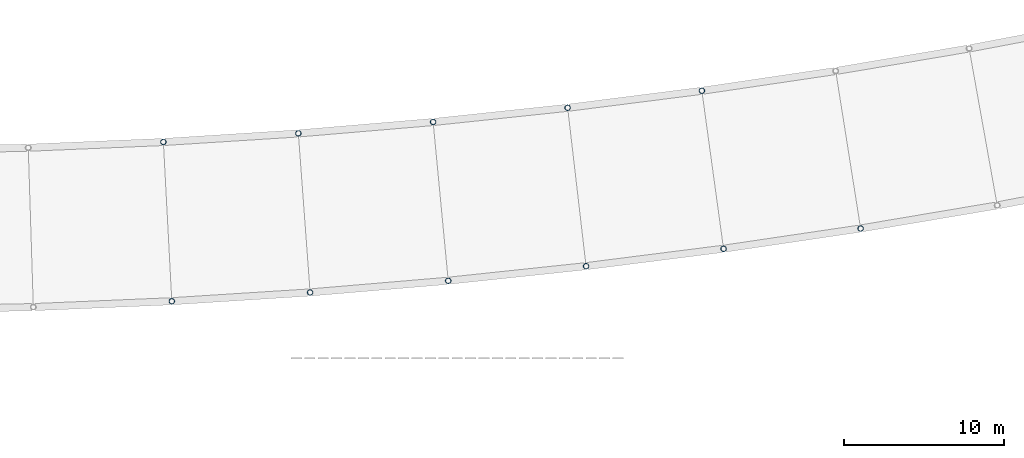
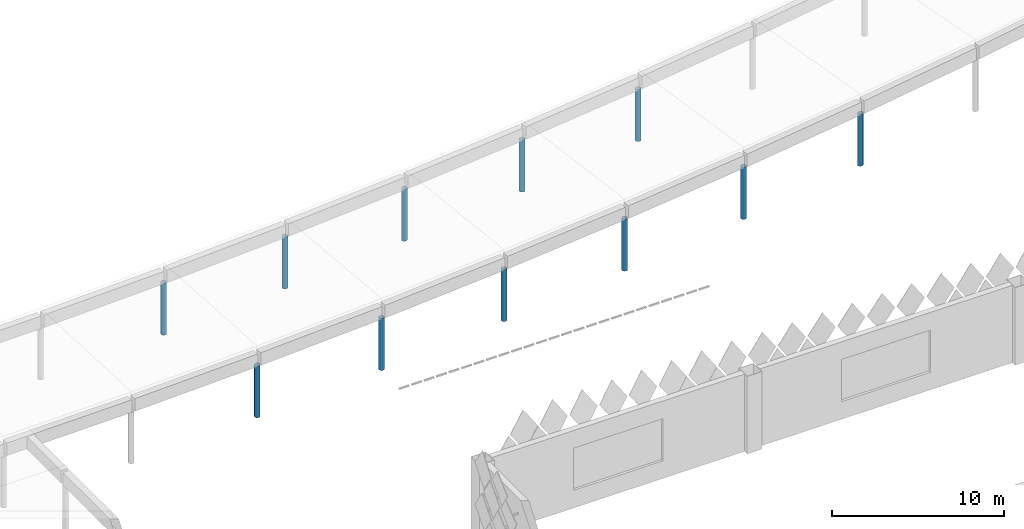
# One storey, part 13 of 185: 11 columns.
"""IFC4 building model written with IfcOpenShell, lengths in metres."""

from ifc_helpers import new_model, si_unit, direction, frame, origin, origin_2d, place, context, subcontext, project, spatial, hollow_circle, extrude, material, material_profile, profile_set, type_object, element, save


model = new_model("IFC4")

# Units and contexts
model_context = context("Model", 3, precision=1e-05, world=origin(), true_north=direction((0.0, 1.0)))
body_context = subcontext(model_context, "Body", "Model", "MODEL_VIEW")
ifc_project = project(units=[si_unit("LENGTHUNIT", "METRE"), si_unit("AREAUNIT", "SQUARE_METRE"), si_unit("VOLUMEUNIT", "CUBIC_METRE"), si_unit("PLANEANGLEUNIT", "RADIAN"), si_unit("MASSUNIT", "GRAM", prefix="KILO")], contexts=[model_context])

# Site, building, storey
site_placement = place(None, origin())
site = spatial("IfcSite", under=ifc_project, at=site_placement, CompositionType="ELEMENT")
building_placement = place(site_placement, origin())
building = spatial("IfcBuilding", under=site, at=building_placement, Name="Opaline Strait Convention Centre", CompositionType="ELEMENT")
storey_placement = place(building_placement, frame((0.0, 0.0, 6.0)))
storey = spatial("IfcBuildingStorey", under=building, at=storey_placement, Name="L01", CompositionType="ELEMENT", Elevation=6.0)

# Columns
ifc_material = material(Name="Steel Q355B", Category="steel")
ifc_material_profile = material_profile(ifc_material, hollow_circle(Radius=0.175537109375, WallThickness=0.01611328125, at=origin_2d()), Name="CHS 351x16")
ifc_profile_set = profile_set([ifc_material_profile], Name="Steel Q355B")
column_type = type_object("IfcColumnType", Name="Arcade column CHS 351x16", PredefinedType="COLUMN", material=ifc_profile_set)
for number, where, z_axis, x_axis, name in (
    (1, (201.71142578125, 170.074951171875, 0.0), (0.0, 0.0, 1.0), (1.0, 0.0, 0.0), "Arcade column SC-I13"),
    (2, (210.3818359375, 170.625732421875, 0.0), (0.0, 0.0, 1.0), (1.0, 0.0, 0.0), "Arcade column SC-I14"),
    (3, (219.03857421875, 171.358642578125, 0.0), (0.0, 0.0, 1.0), (1.0, 0.0, 0.0), "Arcade column SC-I15"),
    (4, (227.67724609375, 172.272216796875, 0.0), (0.0, 0.0, 1.0), (1.0, 0.0, 0.0), "Arcade column SC-I16"),
    (5, (236.294189453125, 173.364990234375, 0.0), (0.0, 0.0, 1.0), (1.0, 0.0, 0.0), "Arcade column SC-I17"),
    (6, (244.88623046875, 174.634765625, 0.0), (0.0, 0.0, 1.0), (1.0, 0.0, 0.0), "Arcade column SC-I18"),
    (7, (201.1826171875, 180.060791015625, 0.0), (0.0, 0.0, 1.0), (1.0, 0.0, 0.0), "Arcade column SC-O13"),
    (8, (209.642822265625, 180.598388671875, 0.0), (0.0, 0.0, 1.0), (1.0, 0.0, 0.0), "Arcade column SC-O14"),
    (9, (218.090576171875, 181.313720703125, 0.0), (0.0, 0.0, 1.0), (1.0, 0.0, 0.0), "Arcade column SC-O15"),
    (10, (226.52197265625, 182.205078125, 0.0), (0.0, 0.0, 1.0), (1.0, 0.0, 0.0), "Arcade column SC-O16"),
    (11, (234.933837890625, 183.27197265625, 0.0), (0.0, 0.0, 1.0), (1.0, 0.0, 0.0), "Arcade column SC-O17"),
):
    element("IfcColumn", number, at=place(storey_placement, frame(where, z_axis=z_axis, x_axis=x_axis)), inside=storey, type_object=column_type, Name=name, ObjectType="SCC1", PredefinedType="COLUMN", context=body_context, shape_type="SweptSolid", body=[
        extrude(hollow_circle(Radius=0.175537109375, WallThickness=0.01611328125, at=origin_2d()), origin(), (0.0, 0.0, 1.0), 3.68505859375),
    ])

save(model, "model.ifc")
